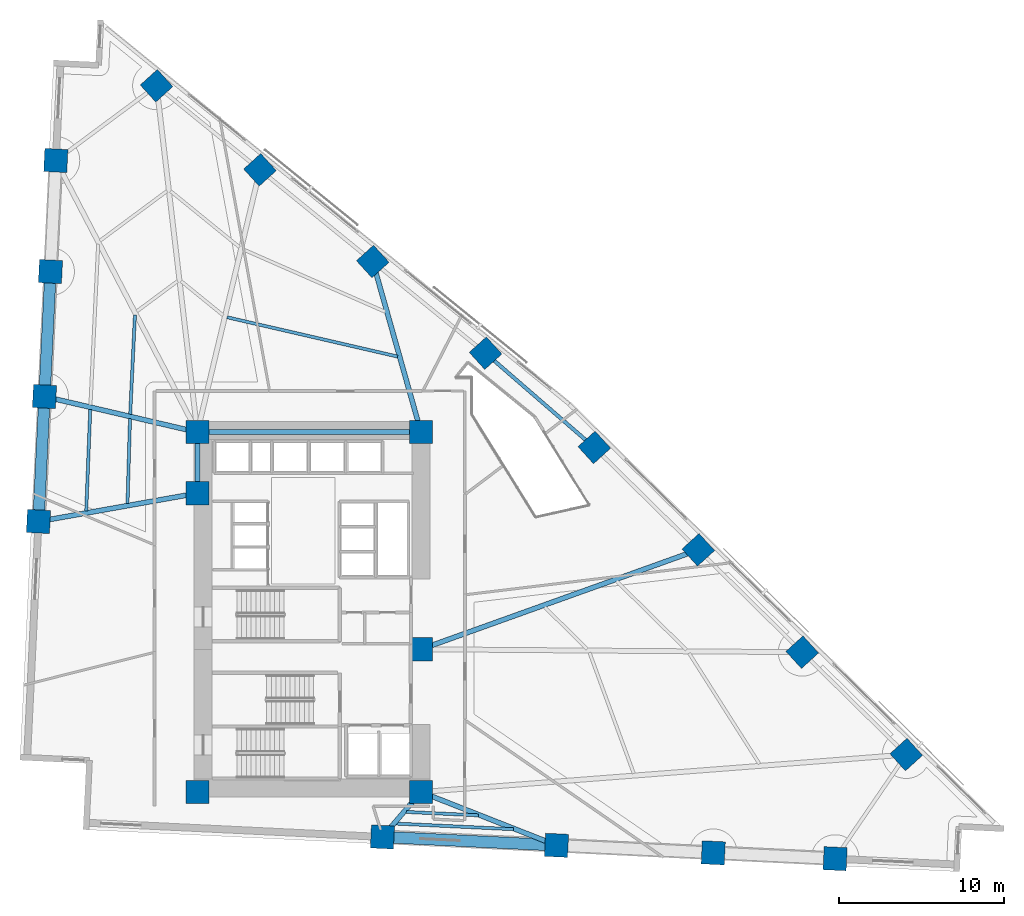
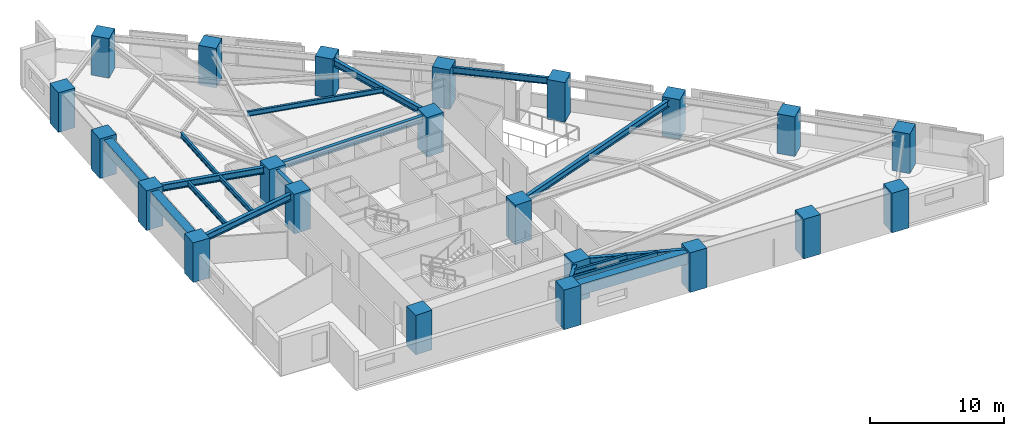
# One storey, part 1 of 17: 22 columns, 18 beams.
"""IFC4 building model written with IfcOpenShell, lengths in metres."""

from ifc_helpers import new_model, si_unit, direction, frame, origin, origin_2d, place, context, subcontext, project, spatial, rectangle, i_section, extrude, material, material_profile, profile_set, type_object, element, save


model = new_model("IFC4")

# Units and contexts
model_context = context("Model", 3, precision=1e-05, world=origin(), true_north=direction((0.0, 1.0)))
body_context = subcontext(model_context, "Body", "Model", "MODEL_VIEW")
ifc_project = project(units=[si_unit("LENGTHUNIT", "METRE"), si_unit("AREAUNIT", "SQUARE_METRE"), si_unit("VOLUMEUNIT", "CUBIC_METRE"), si_unit("PLANEANGLEUNIT", "RADIAN"), si_unit("MASSUNIT", "GRAM", prefix="KILO")], contexts=[model_context])

# Site, building, storey
site_placement = place(None, origin())
site = spatial("IfcSite", under=ifc_project, at=site_placement, CompositionType="ELEMENT")
building_placement = place(site_placement, origin())
building = spatial("IfcBuilding", under=site, at=building_placement, Name="Narakoshi Arena Tower", CompositionType="ELEMENT")
storey_placement = place(building_placement, frame((0.0, 0.0, 30.300048828125)))
storey = spatial("IfcBuildingStorey", under=building, at=storey_placement, Name="L07", CompositionType="ELEMENT", Elevation=30.300048828125)

# Columns
ifc_material_1 = material(Name="Concrete C60/75", Category="concrete")
ifc_material_profile_1 = material_profile(ifc_material_1, rectangle(XDim=1.39990234375, YDim=1.39990234375, at=origin_2d()), Name="RC1400x1400")
ifc_profile_set_1 = profile_set([ifc_material_profile_1], Name="Concrete C60/75")
column_type = type_object("IfcColumnType", Name="COL-RC1400", PredefinedType="COLUMN", material=ifc_profile_set_1)
for number, where, z_axis, x_axis, name in (
    (1, (72.0, 34.699951171875, 0.0), (0.0, 0.0, 1.0), (1.0, 0.0, 0.0), "L07 Core Structural Column CC1"),
    (2, (85.550048828125, 34.699951171875, 0.0), (0.0, 0.0, 1.0), (1.0, 0.0, 0.0), "L07 Core Structural Column CC2"),
    (3, (85.550048828125, 43.35009765625, 0.0), (0.0, 0.0, 1.0), (1.0, 0.0, 0.0), "L07 Core Structural Column CC3"),
    (4, (72.0, 52.800048828125, 0.0), (0.0, 0.0, 1.0), (1.0, 0.0, 0.0), "L07 Core Structural Column CC4"),
    (5, (72.0, 56.5, 0.0), (0.0, 0.0, 1.0), (1.0, 0.0, 0.0), "L07 Core Structural Column CC5"),
    (6, (85.550048828125, 56.5, 0.0), (0.0, 0.0, 1.0), (1.0, 0.0, 0.0), "L07 Core Structural Column CC6"),
    (7, (83.2119140625, 31.979248046875, 0.0), (0.0, 0.0, 1.0), (-0.998848386485, 0.047978128521, 0.0), "L07 Tower Perimeter Column TC01"),
    (8, (93.760009765625, 31.472412109375, 0.0), (0.0, 0.0, 1.0), (-0.998848386485, 0.047978128521, 0.0), "L07 Tower Perimeter Column TC02"),
    (9, (103.2529296875, 31.0166015625, 0.0), (0.0, 0.0, 1.0), (-0.998848386485, 0.047978128521, 0.0), "L07 Tower Perimeter Column TC03"),
    (10, (110.636474609375, 30.661865234375, 0.0), (0.0, 0.0, 1.0), (-0.998848386485, 0.047978128521, 0.0), "L07 Tower Perimeter Column TC04"),
    (11, (114.942138671875, 36.969970703125, 0.0), (0.0, 0.0, 1.0), (0.740218127487, 0.672366807435, 0.0), "L07 Tower Perimeter Column TC05"),
    (12, (108.643798828125, 43.171875, 0.0), (0.0, 0.0, 1.0), (0.740218127487, 0.672366807435, 0.0), "L07 Tower Perimeter Column TC06"),
    (13, (102.345458984375, 49.373779296875, 0.0), (0.0, 0.0, 1.0), (0.740218127487, 0.672366807435, 0.0), "L07 Tower Perimeter Column TC07"),
    (14, (96.047119140625, 55.57568359375, 0.0), (0.0, 0.0, 1.0), (0.740218127487, 0.672366807435, 0.0), "L07 Tower Perimeter Column TC08"),
    (15, (89.459716796875, 61.28515625, 0.0), (0.0, 0.0, 1.0), (0.740218127487, 0.672366807435, 0.0), "L07 Tower Perimeter Column TC09"),
    (16, (82.626953125, 66.838623046875, 0.0), (0.0, 0.0, 1.0), (0.740218127487, 0.672366807435, 0.0), "L07 Tower Perimeter Column TC10"),
    (17, (75.794189453125, 72.392333984375, 0.0), (0.0, 0.0, 1.0), (0.740218127487, 0.672366807435, 0.0), "L07 Tower Perimeter Column TC11"),
    (18, (69.531005859375, 77.483154296875, 0.0), (0.0, 0.0, 1.0), (0.740218127487, 0.672366807435, 0.0), "L07 Tower Perimeter Column TC12"),
    (19, (63.42822265625, 72.95654296875, 0.0), (0.0, 0.0, 1.0), (0.047978128521, 0.998848386485, 0.0), "L07 Tower Perimeter Column TC13"),
    (20, (63.10498046875, 66.228271484375, 0.0), (0.0, 0.0, 1.0), (0.047978128521, 0.998848386485, 0.0), "L07 Tower Perimeter Column TC14"),
    (21, (62.74169921875, 58.658935546875, 0.0), (0.0, 0.0, 1.0), (0.047978128521, 0.998848386485, 0.0), "L07 Tower Perimeter Column TC15"),
    (22, (62.3779296875, 51.08984375, 0.0), (0.0, 0.0, 1.0), (0.047978128521, 0.998848386485, 0.0), "L07 Tower Perimeter Column TC16"),
):
    element("IfcColumn", number, at=place(storey_placement, frame(where, z_axis=z_axis, x_axis=x_axis)), inside=storey, type_object=column_type, Name=name, PredefinedType="COLUMN", context=body_context, shape_type="SweptSolid", body=[
        extrude(rectangle(XDim=1.39990234375, YDim=1.39990234375, at=origin_2d()), origin(), (0.0, 0.0, 1.0), 3.599853515625),
    ])

# Beams
ifc_material_profile_2 = material_profile(ifc_material_1, rectangle(XDim=0.699951171875, YDim=1.0, at=origin_2d()), Name="RCB700x1000")
ifc_profile_set_2 = profile_set([ifc_material_profile_2], Name="Concrete C60/75")
beam_type_1 = type_object("IfcBeamType", Name="BM-CPL-1000", PredefinedType="BEAM", material=ifc_profile_set_2)
beam_1_placement = place(storey_placement, frame((83.2119140625, 31.979248046875, 2.89990234375), z_axis=(0.998847594152, -0.047994621119, 0.0), x_axis=(0.047994621119, 0.998847594152, 0.0)))
element("IfcBeam", 23, at=beam_1_placement, inside=storey, type_object=beam_type_1, Name="L07 Perimeter Edge Girder 01", PredefinedType="BEAM", context=body_context, shape_type="SweptSolid", body=[
    extrude(rectangle(XDim=0.699951171875, YDim=1.0, at=origin_2d()), origin(), (0.0, 0.0, 1.0), 10.560302734375),
])
beam_2_placement = place(storey_placement, frame((63.10498046875, 66.228271484375, 2.89990234375), z_axis=(-0.047938627957, -0.99885028305, 0.0), x_axis=(0.99885028305, -0.047938627957, 0.0)))
element("IfcBeam", 24, at=beam_2_placement, inside=storey, type_object=beam_type_1, Name="L07 Perimeter Edge Girder 14", PredefinedType="BEAM", context=body_context, shape_type="SweptSolid", body=[
    extrude(rectangle(XDim=0.699951171875, YDim=1.0, at=origin_2d()), origin(), (0.0, 0.0, 1.0), 7.578125),
])
beam_3_placement = place(storey_placement, frame((62.74169921875, 58.658935546875, 2.89990234375), z_axis=(-0.048004457986, -0.998847121442, 0.0), x_axis=(0.998847121442, -0.048004457986, 0.0)))
element("IfcBeam", 25, at=beam_3_placement, inside=storey, type_object=beam_type_1, Name="L07 Perimeter Edge Girder 15", PredefinedType="BEAM", context=body_context, shape_type="SweptSolid", body=[
    extrude(rectangle(XDim=0.699951171875, YDim=1.0, at=origin_2d()), origin(), (0.0, 0.0, 1.0), 7.577880859375),
])
ifc_material_2 = material(Name="Structural steel S355J2", Category="steel")
ifc_material_profile_3 = material_profile(ifc_material_2, i_section(OverallWidth=0.219970703125, OverallDepth=0.60009765625, WebThickness=0.011962890625, FlangeThickness=0.01904296875, FilletRadius=0.02392578125, at=origin_2d()), Name="IPE600")
ifc_profile_set_3 = profile_set([ifc_material_profile_3], Name="Structural steel S355J2")
beam_type_2 = type_object("IfcBeamType", Name="BM-EDGE-600", PredefinedType="BEAM", material=ifc_profile_set_3)
beam_4_placement = place(storey_placement, frame((96.047119140625, 55.57568359375, 3.099853515625), z_axis=(-0.755666904752, 0.654956127586, 0.0), x_axis=(-0.654956127586, -0.755666904752, 0.0)))
element("IfcBeam", 26, at=beam_4_placement, inside=storey, type_object=beam_type_2, Name="L07 Perimeter Edge Girder 08", PredefinedType="BEAM", context=body_context, shape_type="SweptSolid", body=[
    extrude(i_section(OverallWidth=0.219970703125, OverallDepth=0.60009765625, WebThickness=0.011962890625, FlangeThickness=0.01904296875, FilletRadius=0.02392578125, at=origin_2d()), origin(), (0.0, 0.0, 1.0), 8.71728515625),
])
ifc_material_profile_4 = material_profile(ifc_material_2, i_section(OverallWidth=0.300048828125, OverallDepth=0.60009765625, WebThickness=0.015380859375, FlangeThickness=0.030029296875, FilletRadius=0.027099609375, at=origin_2d()), Name="HE600B")
ifc_profile_set_4 = profile_set([ifc_material_profile_4], Name="Structural steel S355J2")
beam_type_3 = type_object("IfcBeamType", Name="BM-PRI-600", PredefinedType="BEAM", material=ifc_profile_set_4)
beam_5_placement = place(storey_placement, frame((85.550048828125, 34.699951171875, 3.099853515625), z_axis=(-0.651771636497, -0.75841527797, 0.0), x_axis=(0.75841527797, -0.651771636497, 0.0)))
element("IfcBeam", 27, at=beam_5_placement, inside=storey, type_object=beam_type_3, Name="L07 Radial Primary Floor Girder 01", PredefinedType="BEAM", context=body_context, shape_type="SweptSolid", body=[
    extrude(i_section(OverallWidth=0.300048828125, OverallDepth=0.60009765625, WebThickness=0.015380859375, FlangeThickness=0.030029296875, FilletRadius=0.027099609375, at=origin_2d()), origin(), (0.0, 0.0, 1.0), 3.58740234375),
])
beam_6_placement = place(storey_placement, frame((85.550048828125, 34.699951171875, 3.099853515625), z_axis=(0.930666699288, -0.365868138592, 0.0), x_axis=(0.365868138592, 0.930666699288, 0.0)))
element("IfcBeam", 28, at=beam_6_placement, inside=storey, type_object=beam_type_3, Name="L07 Radial Primary Floor Girder 02", PredefinedType="BEAM", context=body_context, shape_type="SweptSolid", body=[
    extrude(i_section(OverallWidth=0.300048828125, OverallDepth=0.60009765625, WebThickness=0.015380859375, FlangeThickness=0.030029296875, FilletRadius=0.027099609375, at=origin_2d()), origin(), (0.0, 0.0, 1.0), 8.821533203125),
])
beam_7_placement = place(storey_placement, frame((85.550048828125, 43.35009765625, 3.099853515625), z_axis=(0.941291582753, 0.337594662634, 0.0), x_axis=(-0.337594662634, 0.941291582753, 0.0)))
element("IfcBeam", 29, at=beam_7_placement, inside=storey, type_object=beam_type_3, Name="L07 Radial Primary Floor Girder 07", PredefinedType="BEAM", context=body_context, shape_type="SweptSolid", body=[
    extrude(i_section(OverallWidth=0.300048828125, OverallDepth=0.60009765625, WebThickness=0.015380859375, FlangeThickness=0.030029296875, FilletRadius=0.027099609375, at=origin_2d()), origin(), (0.0, 0.0, 1.0), 17.843017578125),
])
beam_8_placement = place(storey_placement, frame((85.550048828125, 56.5, 3.099853515625), z_axis=(-0.272069994974, 0.962277464058, 0.0), x_axis=(-0.962277464058, -0.272069994974, 0.0)))
element("IfcBeam", 30, at=beam_8_placement, inside=storey, type_object=beam_type_3, Name="L07 Radial Primary Floor Girder 10", PredefinedType="BEAM", context=body_context, shape_type="SweptSolid", body=[
    extrude(i_section(OverallWidth=0.300048828125, OverallDepth=0.60009765625, WebThickness=0.015380859375, FlangeThickness=0.030029296875, FilletRadius=0.027099609375, at=origin_2d()), origin(), (0.0, 0.0, 1.0), 10.743896484375),
])
beam_9_placement = place(storey_placement, frame((72.0, 56.5, 3.099853515625), z_axis=(-0.973872266719, 0.227096473145, 0.0), x_axis=(-0.227096473145, -0.973872266719, 0.0)))
element("IfcBeam", 31, at=beam_9_placement, inside=storey, type_object=beam_type_3, Name="L07 Radial Primary Floor Girder 15", PredefinedType="BEAM", context=body_context, shape_type="SweptSolid", body=[
    extrude(i_section(OverallWidth=0.300048828125, OverallDepth=0.60009765625, WebThickness=0.015380859375, FlangeThickness=0.030029296875, FilletRadius=0.027099609375, at=origin_2d()), origin(), (0.0, 0.0, 1.0), 9.506591796875),
])
beam_10_placement = place(storey_placement, frame((72.0, 52.800048828125, 3.099853515625), z_axis=(-0.984569299514, -0.174995126944, 0.0), x_axis=(0.174995126944, -0.984569299514, 0.0)))
element("IfcBeam", 32, at=beam_10_placement, inside=storey, type_object=beam_type_3, Name="L07 Radial Primary Floor Girder 16", PredefinedType="BEAM", context=body_context, shape_type="SweptSolid", body=[
    extrude(i_section(OverallWidth=0.300048828125, OverallDepth=0.60009765625, WebThickness=0.015380859375, FlangeThickness=0.030029296875, FilletRadius=0.027099609375, at=origin_2d()), origin(), (0.0, 0.0, 1.0), 9.77294921875),
])
beam_11_placement = place(storey_placement, frame((72.0, 52.800048828125, 3.099853515625), z_axis=(0.0, 1.0, 0.0), x_axis=(-1.0, 0.0, 0.0)))
element("IfcBeam", 33, at=beam_11_placement, inside=storey, type_object=beam_type_3, Name="L07 Core Perimeter Frame Beam CC4-CC5", PredefinedType="BEAM", context=body_context, shape_type="SweptSolid", body=[
    extrude(i_section(OverallWidth=0.300048828125, OverallDepth=0.60009765625, WebThickness=0.015380859375, FlangeThickness=0.030029296875, FilletRadius=0.027099609375, at=origin_2d()), origin(), (0.0, 0.0, 1.0), 3.699951171875),
])
beam_12_placement = place(storey_placement, frame((72.0, 56.5, 3.099853515625), z_axis=(1.0, 0.0, 0.0), x_axis=(0.0, 1.0, 0.0)))
element("IfcBeam", 34, at=beam_12_placement, inside=storey, type_object=beam_type_3, Name="L07 Core Perimeter Frame Beam CC5-CC6", PredefinedType="BEAM", context=body_context, shape_type="SweptSolid", body=[
    extrude(i_section(OverallWidth=0.300048828125, OverallDepth=0.60009765625, WebThickness=0.015380859375, FlangeThickness=0.030029296875, FilletRadius=0.027099609375, at=origin_2d()), origin(), (0.0, 0.0, 1.0), 13.550048828125),
])
ifc_material_profile_5 = material_profile(ifc_material_2, i_section(OverallWidth=0.18994140625, OverallDepth=0.449951171875, WebThickness=0.009521484375, FlangeThickness=0.0146484375, FilletRadius=0.02099609375, at=origin_2d()), Name="IPE450")
ifc_profile_set_5 = profile_set([ifc_material_profile_5], Name="Structural steel S355J2")
beam_type_4 = type_object("IfcBeamType", Name="BM-SEC-450", PredefinedType="JOIST", material=ifc_profile_set_5)
beam_13_placement = place(storey_placement, frame((84.656005859375, 33.496337890625, 3.175048828125), z_axis=(0.998848618666, -0.047973294541, 0.0), x_axis=(0.047973294541, 0.998848618666, 0.0)))
element("IfcBeam", 35, at=beam_13_placement, inside=storey, type_object=beam_type_4, Name="L07 Composite Secondary Floor Joist 01", PredefinedType="JOIST", context=body_context, shape_type="SweptSolid", body=[
    extrude(i_section(OverallWidth=0.18994140625, OverallDepth=0.449951171875, WebThickness=0.009521484375, FlangeThickness=0.0146484375, FilletRadius=0.02099609375, at=origin_2d()), origin(), (0.0, 0.0, 1.0), 4.376708984375),
])
beam_14_placement = place(storey_placement, frame((84.048095703125, 32.7890625, 3.175048828125), z_axis=(0.998847805769, -0.047990216825, 0.0), x_axis=(0.047990216825, 0.998847805769, 0.0)))
element("IfcBeam", 36, at=beam_14_placement, inside=storey, type_object=beam_type_4, Name="L07 Composite Secondary Floor Joist 02", PredefinedType="JOIST", context=body_context, shape_type="SweptSolid", body=[
    extrude(i_section(OverallWidth=0.18994140625, OverallDepth=0.449951171875, WebThickness=0.009521484375, FlangeThickness=0.0146484375, FilletRadius=0.02099609375, at=origin_2d()), origin(), (0.0, 0.0, 1.0), 7.122314453125),
])
beam_15_placement = place(storey_placement, frame((84.13232421875, 61.079345703125, 3.175048828125), z_axis=(-0.974413699893, 0.224761966223, 0.0), x_axis=(-0.224761966223, -0.974413699893, 0.0)))
element("IfcBeam", 37, at=beam_15_placement, inside=storey, type_object=beam_type_4, Name="L07 Composite Secondary Floor Joist 07", PredefinedType="JOIST", context=body_context, shape_type="SweptSolid", body=[
    extrude(i_section(OverallWidth=0.18994140625, OverallDepth=0.449951171875, WebThickness=0.009521484375, FlangeThickness=0.0146484375, FilletRadius=0.02099609375, at=origin_2d()), origin(), (0.0, 0.0, 1.0), 10.6025390625),
])
beam_16_placement = place(storey_placement, frame((68.221923828125, 63.606201171875, 3.175048828125), z_axis=(-0.047949971232, -0.998849738579, 0.0), x_axis=(0.998849738579, -0.047949971232, 0.0)))
element("IfcBeam", 38, at=beam_16_placement, inside=storey, type_object=beam_type_4, Name="L07 Composite Secondary Floor Joist 13", PredefinedType="JOIST", context=body_context, shape_type="SweptSolid", body=[
    extrude(i_section(OverallWidth=0.18994140625, OverallDepth=0.449951171875, WebThickness=0.009521484375, FlangeThickness=0.0146484375, FilletRadius=0.02099609375, at=origin_2d()), origin(), (0.0, 0.0, 1.0), 6.0283203125),
])
beam_17_placement = place(storey_placement, frame((67.92236328125, 57.31494140625, 3.175048828125), z_axis=(-0.029622614356, -0.999561154066, 0.0), x_axis=(0.999561154066, -0.029622614356, 0.0)))
element("IfcBeam", 39, at=beam_17_placement, inside=storey, type_object=beam_type_4, Name="L07 Composite Secondary Floor Joist 15", PredefinedType="JOIST", context=body_context, shape_type="SweptSolid", body=[
    extrude(i_section(OverallWidth=0.18994140625, OverallDepth=0.449951171875, WebThickness=0.009521484375, FlangeThickness=0.0146484375, FilletRadius=0.02099609375, at=origin_2d()), origin(), (0.0, 0.0, 1.0), 5.134521484375),
])
beam_18_placement = place(storey_placement, frame((65.513916015625, 57.87646484375, 3.175048828125), z_axis=(-0.039699826578, -0.999211651138, 0.0), x_axis=(0.999211651138, -0.039699826578, 0.0)))
element("IfcBeam", 40, at=beam_18_placement, inside=storey, type_object=beam_type_4, Name="L07 Composite Secondary Floor Joist 16", PredefinedType="JOIST", context=body_context, shape_type="SweptSolid", body=[
    extrude(i_section(OverallWidth=0.18994140625, OverallDepth=0.449951171875, WebThickness=0.009521484375, FlangeThickness=0.0146484375, FilletRadius=0.02099609375, at=origin_2d()), origin(), (0.0, 0.0, 1.0), 6.1435546875),
])

save(model, "model.ifc")
